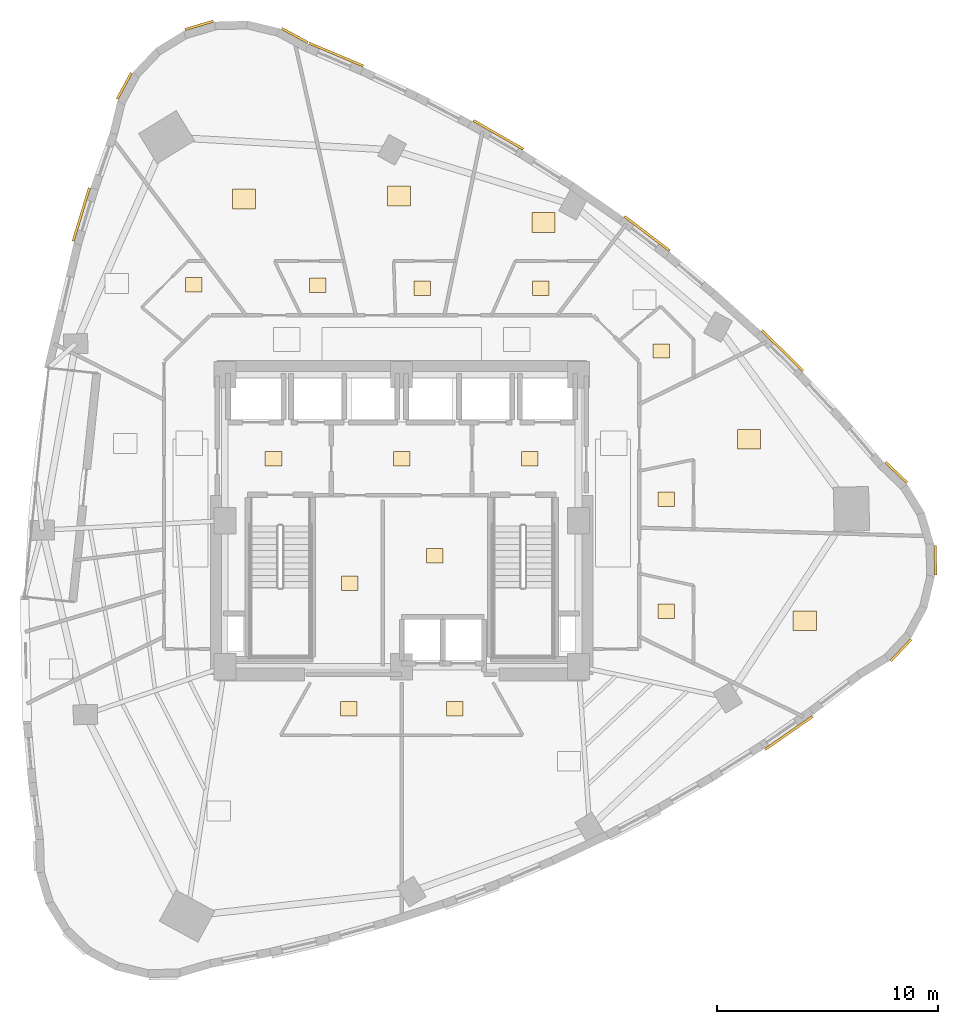
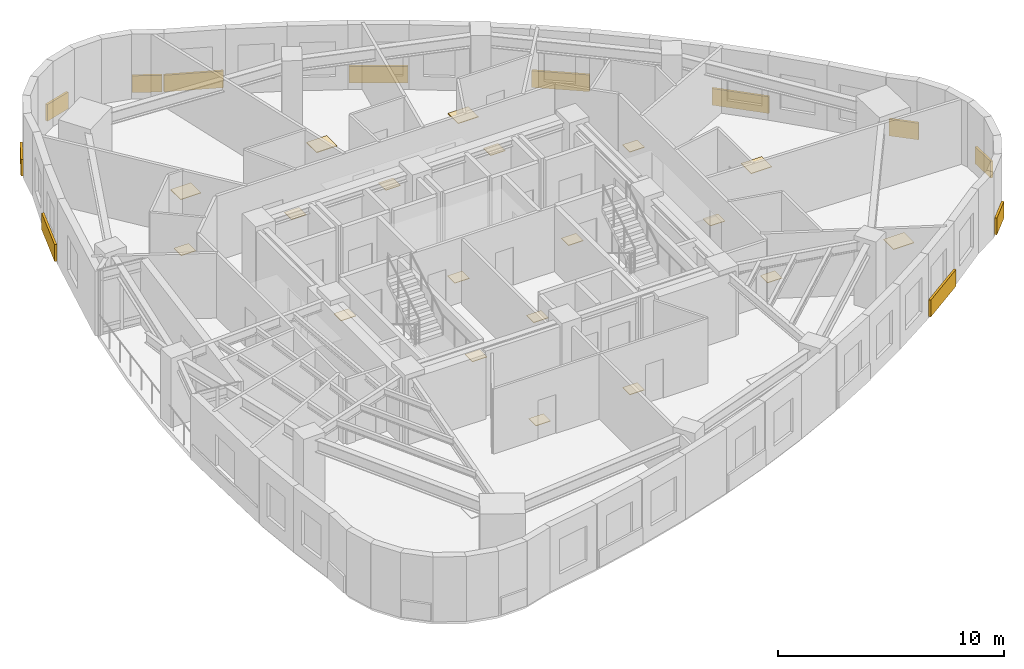
# One storey, part 12 of 12: 31 coverings.
"""IFC4 building model written with IfcOpenShell, lengths in metres."""

from ifc_helpers import new_model, si_unit, direction, frame, origin, origin_2d, place, context, subcontext, project, spatial, rectangle, extrude, material, layer, layer_set, type_object, element, save


model = new_model("IFC4")

# Units and contexts
model_context = context("Model", 3, precision=1e-05, world=origin(), true_north=direction((0.0, 1.0)))
body_context = subcontext(model_context, "Body", "Model", "MODEL_VIEW")
ifc_project = project(units=[si_unit("LENGTHUNIT", "METRE"), si_unit("AREAUNIT", "SQUARE_METRE"), si_unit("VOLUMEUNIT", "CUBIC_METRE"), si_unit("PLANEANGLEUNIT", "RADIAN"), si_unit("MASSUNIT", "GRAM", prefix="KILO")], contexts=[model_context])

# Site, building, storey
site_placement = place(None, origin())
site = spatial("IfcSite", under=ifc_project, at=site_placement, CompositionType="ELEMENT")
building_placement = place(site_placement, origin())
building = spatial("IfcBuilding", under=site, at=building_placement, Name="Ndelora Gate Hotel", CompositionType="ELEMENT")
storey_placement = place(building_placement, frame((0.0, 0.0, 101.0)))
storey = spatial("IfcBuildingStorey", under=building, at=storey_placement, Name="L24", CompositionType="ELEMENT", Elevation=101.0)

# Coverings
ifc_material_1 = material(Name="Terracotta Fired Clay Brick Slip Cladding", Category="masonry")
ifc_layer_1 = layer(ifc_material_1, 0.110107421875)
ifc_layer_set_1 = layer_set([ifc_layer_1], Name="Terracotta Fired Clay Brick Slip Cladding")
covering_type_1 = type_object("IfcCoveringType", Name="COV-CLAD-BRK", PredefinedType="CLADDING", material=ifc_layer_set_1)
for number, where, z_axis, x_axis, name in (
    (1, (-4.835693359375, 21.952880859375, 0.10009765625), (0.0, 0.0, 1.0), (-0.878817112662, 0.47715876026, 0.0), "L24 Rounded-Corner Brick Cladding Band 1"),
    (2, (-9.164306640625, 22.407958984375, 0.10009765625), (0.0, 0.0, 1.0), (0.958819734868, 0.284015344704, 0.0), "L24 Rounded-Corner Brick Cladding Band 4"),
    (3, (-12.54638671875, 19.6689453125, 0.10009765625), (0.0, 0.0, 1.0), (0.47715876026, 0.878817112662, 0.0), "L24 Rounded-Corner Brick Cladding Band 7"),
):
    element("IfcCovering", number, at=place(storey_placement, frame(where, z_axis=z_axis, x_axis=x_axis)), inside=storey, type_object=covering_type_1, Name=name, PredefinedType="CLADDING", context=body_context, shape_type="SweptSolid", body=[
        extrude(rectangle(XDim=1.3359375, YDim=0.110107421875, at=origin_2d()), origin(), (0.0, 0.0, 1.0), 0.89990234375),
    ])
covering_1_placement = place(storey_placement, frame((-14.49365234375, 13.851318359375, 0.10009765625), z_axis=(0.0, 0.0, 1.0), x_axis=(0.291870944669, 0.956457710334, 0.0)))
element("IfcCovering", 4, at=covering_1_placement, inside=storey, type_object=covering_type_1, Name="L24 Rounded-Corner Brick Cladding Band 10", PredefinedType="CLADDING", context=body_context, shape_type="SweptSolid", body=[
    extrude(rectangle(XDim=2.52001953125, YDim=0.110107421875, at=origin_2d()), origin(), (0.0, 0.0, 1.0), 0.89990234375),
])
covering_2_placement = place(storey_placement, frame((17.51708984375, -9.59716796875, 0.10009765625), z_axis=(0.0, 0.0, 1.0), x_axis=(0.820850271661, 0.571143442153, 0.0)))
element("IfcCovering", 5, at=covering_2_placement, inside=storey, type_object=covering_type_1, Name="L24 Rounded-Corner Brick Cladding Band 37", PredefinedType="CLADDING", context=body_context, shape_type="SweptSolid", body=[
    extrude(rectangle(XDim=2.6279296875, YDim=0.110107421875, at=origin_2d()), origin(), (0.0, 0.0, 1.0), 0.89990234375),
])
for number, where, z_axis, x_axis, name in (
    (6, (22.58349609375, -5.854248046875, 0.10009765625), (0.0, 0.0, 1.0), (0.688354575694, 0.725374371012, 0.0), "L24 Rounded-Corner Brick Cladding Band 40"),
    (7, (24.14306640625, -1.791259765625, 0.10009765625), (0.0, 0.0, 1.0), (-0.026176948308, 0.999657324976, 0.0), "L24 Rounded-Corner Brick Cladding Band 43"),
    (8, (22.373046875, 2.184814453125, 0.10009765625), (0.0, 0.0, 1.0), (-0.725374371012, 0.688354575694, 0.0), "L24 Rounded-Corner Brick Cladding Band 46"),
):
    element("IfcCovering", number, at=place(storey_placement, frame(where, z_axis=z_axis, x_axis=x_axis)), inside=storey, type_object=covering_type_1, Name=name, PredefinedType="CLADDING", context=body_context, shape_type="SweptSolid", body=[
        extrude(rectangle(XDim=1.3359375, YDim=0.110107421875, at=origin_2d()), origin(), (0.0, 0.0, 1.0), 0.89990234375),
    ])
covering_3_placement = place(storey_placement, frame((17.223388671875, 7.6953125, 0.10009765625), z_axis=(0.0, 0.0, 1.0), x_axis=(-0.713739602276, 0.700411150784, 0.0)))
element("IfcCovering", 9, at=covering_3_placement, inside=storey, type_object=covering_type_1, Name="L24 Rounded-Corner Brick Cladding Band 49", PredefinedType="CLADDING", context=body_context, shape_type="SweptSolid", body=[
    extrude(rectangle(XDim=2.60791015625, YDim=0.110107421875, at=origin_2d()), origin(), (0.0, 0.0, 1.0), 0.89990234375),
])
covering_4_placement = place(storey_placement, frame((11.1005859375, 12.991455078125, 0.10009765625), z_axis=(0.0, 0.0, 1.0), x_axis=(-0.796318824597, 0.604877119416, 0.0)))
element("IfcCovering", 10, at=covering_4_placement, inside=storey, type_object=covering_type_1, Name="L24 Rounded-Corner Brick Cladding Band 52", PredefinedType="CLADDING", context=body_context, shape_type="SweptSolid", body=[
    extrude(rectangle(XDim=2.580078125, YDim=0.110107421875, at=origin_2d()), origin(), (0.0, 0.0, 1.0), 0.89990234375),
])
covering_5_placement = place(storey_placement, frame((4.373291015625, 17.45556640625, 0.10009765625), z_axis=(0.0, 0.0, 1.0), x_axis=(-0.866635622545, 0.498941577478, 0.0)))
element("IfcCovering", 11, at=covering_5_placement, inside=storey, type_object=covering_type_1, Name="L24 Rounded-Corner Brick Cladding Band 55", PredefinedType="CLADDING", context=body_context, shape_type="SweptSolid", body=[
    extrude(rectangle(XDim=2.593994140625, YDim=0.110107421875, at=origin_2d()), origin(), (0.0, 0.0, 1.0), 0.89990234375),
])
covering_6_placement = place(storey_placement, frame((-2.9580078125, 21.08642578125, 0.10009765625), z_axis=(0.0, 0.0, 1.0), x_axis=(-0.921592390043, 0.388159073855, 0.0)))
element("IfcCovering", 12, at=covering_6_placement, inside=storey, type_object=covering_type_1, Name="L24 Rounded-Corner Brick Cladding Band 58", PredefinedType="CLADDING", context=body_context, shape_type="SweptSolid", body=[
    extrude(rectangle(XDim=2.65087890625, YDim=0.110107421875, at=origin_2d()), origin(), (0.0, 0.0, 1.0), 0.89990234375),
])
ifc_material_2 = material(Name="Engineered Highland Oak Parquet", Category="wood")
ifc_layer_2 = layer(ifc_material_2, 0.030029296875)
ifc_layer_set_2 = layer_set([ifc_layer_2], Name="Engineered Highland Oak Parquet")
covering_type_2 = type_object("IfcCoveringType", Name="COV-FLR-PARQ", PredefinedType="FLOORING", material=ifc_layer_set_2)
for number, where, z_axis, x_axis, name in (
    (13, (18.228271484375, -4.52294921875, 0.0), (0.0, 0.0, 1.0), (1.0, 0.0, 0.0), "L24 Corner Club Suite 2703 Oak Parquet Flooring"),
    (14, (15.706298828125, 3.684814453125, 0.0), (0.0, 0.0, 1.0), (1.0, 0.0, 0.0), "L24 Club King Guest Room 2704 Oak Parquet Flooring"),
    (15, (6.413818359375, 13.495849609375, 0.0), (0.0, 0.0, 1.0), (1.0, 0.0, 0.0), "L24 Club Twin Guest Room 2706 Oak Parquet Flooring"),
    (16, (-0.116455078125, 14.685302734375, 0.0), (0.0, 0.0, 1.0), (1.0, 0.0, 0.0), "L24 Corner Junior Suite 2707 Oak Parquet Flooring"),
    (17, (-7.12890625, 14.55029296875, 0.0), (0.0, 0.0, 1.0), (1.0, 0.0, 0.0), "L24 Club Superior Junior Suite 2708 Oak Parquet Flooring"),
):
    element("IfcCovering", number, at=place(storey_placement, frame(where, z_axis=z_axis, x_axis=x_axis)), inside=storey, type_object=covering_type_2, Name=name, PredefinedType="FLOORING", context=body_context, shape_type="SweptSolid", body=[
        extrude(rectangle(XDim=1.050048828125, YDim=0.89990234375, at=origin_2d()), origin(), (0.0, 0.0, 1.0), 0.030029296875),
    ])
ifc_material_3 = material(Name="Non-Slip Porcelain Wet-Room Tile", Category="ceramic")
ifc_layer_3 = layer(ifc_material_3, 0.02490234375)
ifc_layer_set_3 = layer_set([ifc_layer_3], Name="Non-Slip Porcelain Wet-Room Tile")
covering_type_3 = type_object("IfcCoveringType", Name="COV-FLR-TILE", PredefinedType="FLOORING", material=ifc_layer_set_3)
for number, where, z_axis, x_axis, name in (
    (18, (-5.800048828125, 2.800048828125, 0.0), (0.0, 0.0, 1.0), (1.0, 0.0, 0.0), "L24 Firefighting Lift Lobby West Porcelain Tile Flooring"),
    (19, (5.800048828125, 2.800048828125, 0.0), (0.0, 0.0, 1.0), (1.0, 0.0, 0.0), "L24 Firefighting Lift Lobby East Porcelain Tile Flooring"),
    (20, (0.0, 2.800048828125, 0.0), (0.0, 0.0, 1.0), (1.0, 0.0, 0.0), "L24 Central Passenger Lift Lobby Porcelain Tile Flooring"),
    (21, (-2.35009765625, -2.824951171875, 0.0), (0.0, 0.0, 1.0), (1.0, 0.0, 0.0), "L24 Core Electrical Switchroom Porcelain Tile Flooring"),
    (22, (1.5, -1.574951171875, 0.0), (0.0, 0.0, 1.0), (1.0, 0.0, 0.0), "L24 Central Linen Equipment Store Porcelain Tile Flooring"),
    (23, (-2.3984375, -8.510009765625, 0.0), (0.0, 0.0, 1.0), (1.0, 0.0, 0.0), "L24 En-suite Bathroom 2701 Porcelain Tile Flooring"),
    (24, (2.3984375, -8.510009765625, 0.0), (0.0, 0.0, 1.0), (1.0, 0.0, 0.0), "L24 En-suite Bathroom 2702 Porcelain Tile Flooring"),
    (25, (11.97509765625, -4.08837890625, 0.0), (0.0, 0.0, 1.0), (1.0, 0.0, 0.0), "L24 En-suite Bathroom 2703 Porcelain Tile Flooring"),
    (26, (11.97509765625, 0.97216796875, 0.0), (0.0, 0.0, 1.0), (1.0, 0.0, 0.0), "L24 En-suite Bathroom 2704 Porcelain Tile Flooring"),
    (27, (11.743896484375, 7.6787109375, 0.0), (0.0, 0.0, 1.0), (1.0, 0.0, 0.0), "L24 En-suite Bathroom 2705 Porcelain Tile Flooring"),
    (28, (6.282470703125, 10.52490234375, 0.0), (0.0, 0.0, 1.0), (1.0, 0.0, 0.0), "L24 En-suite Bathroom 2706 Porcelain Tile Flooring"),
    (29, (0.9296875, 10.52490234375, 0.0), (0.0, 0.0, 1.0), (1.0, 0.0, 0.0), "L24 En-suite Bathroom 2707 Porcelain Tile Flooring"),
    (30, (-3.797119140625, 10.650146484375, 0.0), (0.0, 0.0, 1.0), (1.0, 0.0, 0.0), "L24 En-suite Bathroom 2708 Porcelain Tile Flooring"),
    (31, (-9.40625, 10.682861328125, 0.0), (0.0, 0.0, 1.0), (1.0, 0.0, 0.0), "L24 En-suite Bathroom 2709 Porcelain Tile Flooring"),
):
    element("IfcCovering", number, at=place(storey_placement, frame(where, z_axis=z_axis, x_axis=x_axis)), inside=storey, type_object=covering_type_3, Name=name, PredefinedType="FLOORING", context=body_context, shape_type="SweptSolid", body=[
        extrude(rectangle(XDim=0.75, YDim=0.64990234375, at=origin_2d()), origin(), (0.0, 0.0, 1.0), 0.02490234375),
    ])

save(model, "model.ifc")
